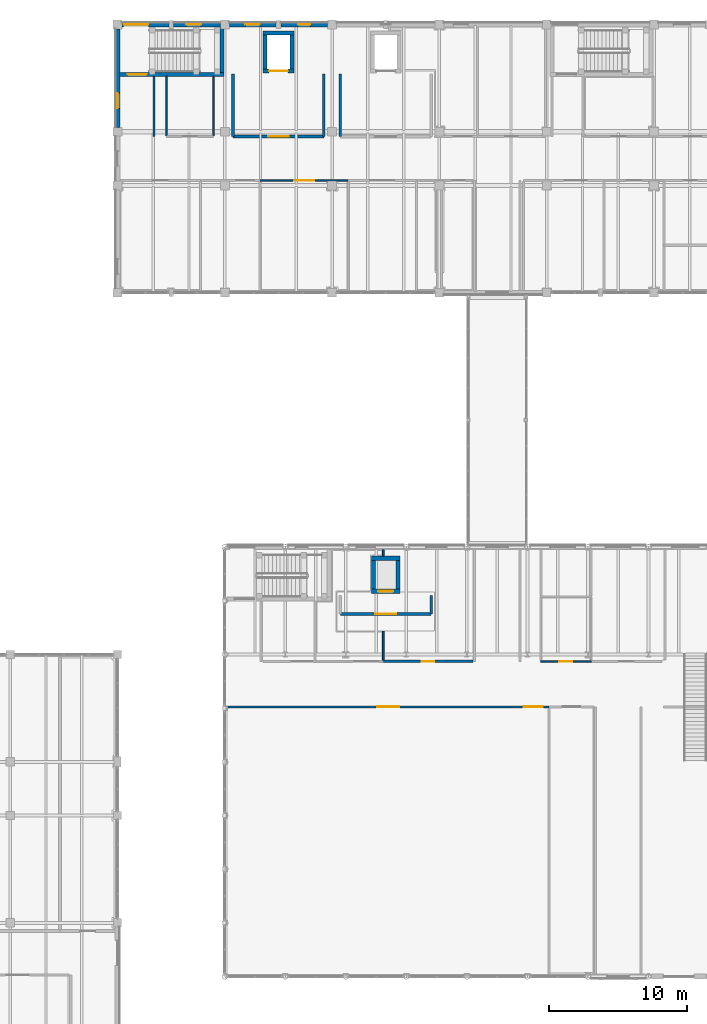
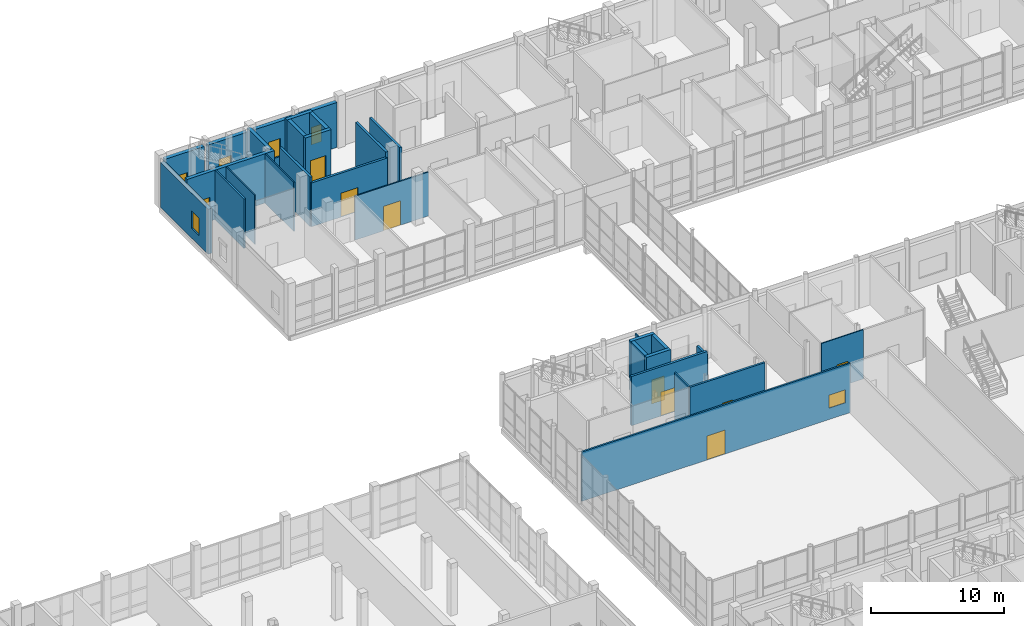
# One storey, part 98 of 131: 30 walls, 10 doors, 5 windows, 15 openings.
"""IFC4 building model written with IfcOpenShell, lengths in metres."""

from ifc_helpers import new_model, si_unit, direction, frame, frame_2d, origin, place, context, subcontext, project, spatial, rectangle, extrude, material, layer, layer_set, type_object, element, fill, save


model = new_model("IFC4")

# Units and contexts
model_context = context("Model", 3, precision=1e-05, world=origin(), true_north=direction((0.0, 1.0)))
body_context = subcontext(model_context, "Body", "Model", "MODEL_VIEW")
ifc_project = project(units=[si_unit("LENGTHUNIT", "METRE"), si_unit("AREAUNIT", "SQUARE_METRE"), si_unit("VOLUMEUNIT", "CUBIC_METRE"), si_unit("PLANEANGLEUNIT", "RADIAN"), si_unit("MASSUNIT", "GRAM", prefix="KILO")], contexts=[model_context])

# Site, building, storey
site_placement = place(None, origin())
site = spatial("IfcSite", under=ifc_project, at=site_placement, CompositionType="ELEMENT")
building_placement = place(site_placement, origin())
building = spatial("IfcBuilding", under=site, at=building_placement, Name="Celorna Specialist Clinic", CompositionType="ELEMENT")
storey_placement = place(building_placement, origin())
storey = spatial("IfcBuildingStorey", under=building, at=storey_placement, Name="L00", CompositionType="ELEMENT", Elevation=0.0)

# Wall, opening, door
ifc_material_1 = material(Name="Pero Pinheiro Lioz limestone insulated masonry", Category="masonry")
ifc_layer_1 = layer(ifc_material_1, 0.340087890625, Name="Pero Pinheiro Lioz limestone insulated masonry")
ifc_layer_set_1 = layer_set([ifc_layer_1], Name="Pero Pinheiro Lioz limestone insulated masonry")
wall_type_1 = type_object("IfcWallType", Name="WT-07", PredefinedType="STANDARD", material=ifc_layer_set_1)
wall_1_placement = place(storey_placement, frame((47.125, 116.0, 0.0), z_axis=(0.0, 0.0, 1.0), x_axis=(1.0, 0.0, 0.0)))
wall_1 = element("IfcWall", 1, at=wall_1_placement, inside=storey, type_object=wall_type_1, Name="External facade wall WT-07 #159", PredefinedType="STANDARD", context=body_context, shape_type="SweptSolid", body=[
    extrude(rectangle(XDim=3.39990234375, YDim=0.340087890625, at=frame_2d((1.699951171875, 0.0))), origin(), (0.0, 0.0, 1.0), 4.139892578125),
])
opening_1_placement = place(wall_1_placement, frame((0.1201171875, 0.0, 0.0)))
opening_1 = element("IfcOpeningElement", 2, at=opening_1_placement, cuts=wall_1, Name="Opening DR-14", PredefinedType="OPENING", context=body_context, shape_type="SweptSolid", body=[
    extrude(rectangle(XDim=1.800048828125, YDim=2.25, at=frame_2d((0.89990234375, 1.125))), frame((0.0, 0.179931640625, 0.0), z_axis=(0.0, -1.0, 0.0), x_axis=(1.0, 0.0, 0.0)), (0.0, 0.0, 1.0), 0.360107421875),
])
ifc_material_2 = material(Name="Glazed aluminium final exit double door", Category="aluminium")
door_type_1 = type_object("IfcDoorType", Name="DR-14", OperationType="DOUBLE_DOOR_SINGLE_SWING", PredefinedType="DOOR", material=ifc_material_2)
door_1_placement = place(opening_1_placement, origin())
door_1 = element("IfcDoor", 3, at=door_1_placement, inside=storey, type_object=door_type_1, Name="Pedestrian final exit E01", OperationType="DOUBLE_DOOR_SINGLE_SWING", OverallHeight=2.25, OverallWidth=1.800048828125, PredefinedType="DOOR", context=body_context, shape_type="SweptSolid", body=[
    extrude(rectangle(XDim=1.800048828125, YDim=2.25, at=frame_2d((0.89990234375, 1.125))), frame((0.0, 0.02490234375, 0.0), z_axis=(0.0, -1.0, 0.0), x_axis=(1.0, 0.0, 0.0)), (0.0, 0.0, 1.0), 0.050048828125),
])
fill(opening_1, door_1)

# Wall, opening, window
wall_2_placement = place(storey_placement, frame((50.875, 116.0, 0.0), z_axis=(0.0, 0.0, 1.0), x_axis=(1.0, 0.0, 0.0)))
wall_2 = element("IfcWall", 4, at=wall_2_placement, inside=storey, type_object=wall_type_1, Name="External facade wall WT-07 #160", PredefinedType="STANDARD", context=body_context, shape_type="SweptSolid", body=[
    extrude(rectangle(XDim=3.39990234375, YDim=0.340087890625, at=frame_2d((1.699951171875, 0.0))), origin(), (0.0, 0.0, 1.0), 4.139892578125),
])
opening_2_placement = place(wall_2_placement, frame((0.907470703125, 0.0, 0.89990234375)))
opening_2 = element("IfcOpeningElement", 5, at=opening_2_placement, cuts=wall_2, Name="Opening WN-03", PredefinedType="OPENING", context=body_context, shape_type="SweptSolid", body=[
    extrude(rectangle(XDim=1.10009765625, YDim=1.60009765625, at=frame_2d((0.550048828125, 0.800048828125))), frame((0.0, 0.179931640625, 0.0), z_axis=(0.0, -1.0, 0.0), x_axis=(1.0, 0.0, 0.0)), (0.0, 0.0, 1.0), 0.360107421875),
])
ifc_material_3 = material(Name="Thermally broken aluminium triple-glazed window", Category="aluminium")
window_type_1 = type_object("IfcWindowType", Name="WN-03", PartitioningType="SINGLE_PANEL", PredefinedType="WINDOW", material=ifc_material_3)
window_1_placement = place(opening_2_placement, origin())
window_1 = element("IfcWindow", 6, at=window_1_placement, inside=storey, type_object=window_type_1, Name="Facade window WN-03 #57", OverallHeight=1.60009765625, OverallWidth=1.10009765625, PartitioningType="SINGLE_PANEL", PredefinedType="WINDOW", context=body_context, shape_type="SweptSolid", body=[
    extrude(rectangle(XDim=1.10009765625, YDim=1.60009765625, at=frame_2d((0.550048828125, 0.800048828125))), frame((0.0, 0.030029296875, 0.0), z_axis=(0.0, -1.0, 0.0), x_axis=(1.0, 0.0, 0.0)), (0.0, 0.0, 1.0), 0.06005859375),
])
fill(opening_2, window_1)

wall_3_placement = place(storey_placement, frame((54.925048828125, 116.0, 0.0), z_axis=(0.0, 0.0, 1.0), x_axis=(1.0, 0.0, 0.0)))
wall_3 = element("IfcWall", 7, at=wall_3_placement, inside=storey, type_object=wall_type_1, Name="External facade wall WT-07 #161", PredefinedType="STANDARD", context=body_context, shape_type="SweptSolid", body=[
    extrude(rectangle(XDim=3.39990234375, YDim=0.340087890625, at=frame_2d((1.699951171875, 0.0))), origin(), (0.0, 0.0, 1.0), 4.139892578125),
])
opening_3_placement = place(wall_3_placement, frame((1.175048828125, 0.0, 0.89990234375)))
opening_3 = element("IfcOpeningElement", 8, at=opening_3_placement, cuts=wall_3, Name="Opening WN-21", PredefinedType="OPENING", context=body_context, shape_type="SweptSolid", body=[
    extrude(rectangle(XDim=1.050048828125, YDim=1.64990234375, at=frame_2d((0.52490234375, 0.824951171875))), frame((0.0, 0.179931640625, 0.0), z_axis=(0.0, -1.0, 0.0), x_axis=(1.0, 0.0, 0.0)), (0.0, 0.0, 1.0), 0.360107421875),
])
window_type_2 = type_object("IfcWindowType", Name="WN-21", PartitioningType="SINGLE_PANEL", PredefinedType="WINDOW", material=ifc_material_3)
window_2_placement = place(opening_3_placement, origin())
window_2 = element("IfcWindow", 9, at=window_2_placement, inside=storey, type_object=window_type_2, Name="Facade window WN-21 #58", OverallHeight=1.64990234375, OverallWidth=1.050048828125, PartitioningType="SINGLE_PANEL", PredefinedType="WINDOW", context=body_context, shape_type="SweptSolid", body=[
    extrude(rectangle(XDim=1.050048828125, YDim=1.64990234375, at=frame_2d((0.52490234375, 0.824951171875))), frame((0.0, 0.030029296875, 0.0), z_axis=(0.0, -1.0, 0.0), x_axis=(1.0, 0.0, 0.0)), (0.0, 0.0, 1.0), 0.06005859375),
])
fill(opening_3, window_2)

wall_4_placement = place(storey_placement, frame((58.675048828125, 116.0, 0.0), z_axis=(0.0, 0.0, 1.0), x_axis=(1.0, 0.0, 0.0)))
wall_4 = element("IfcWall", 10, at=wall_4_placement, inside=storey, type_object=wall_type_1, Name="External facade wall WT-07 #162", PredefinedType="STANDARD", context=body_context, shape_type="SweptSolid", body=[
    extrude(rectangle(XDim=3.39990234375, YDim=0.340087890625, at=frame_2d((1.699951171875, 0.0))), origin(), (0.0, 0.0, 1.0), 4.139892578125),
])
opening_4_placement = place(wall_4_placement, frame((1.25, 0.0, 0.89990234375)))
opening_4 = element("IfcOpeningElement", 11, at=opening_4_placement, cuts=wall_4, Name="Opening WN-01", PredefinedType="OPENING", context=body_context, shape_type="SweptSolid", body=[
    extrude(rectangle(XDim=0.89990234375, YDim=1.60009765625, at=frame_2d((0.449951171875, 0.800048828125))), frame((0.0, 0.179931640625, 0.0), z_axis=(0.0, -1.0, 0.0), x_axis=(1.0, 0.0, 0.0)), (0.0, 0.0, 1.0), 0.360107421875),
])
window_type_3 = type_object("IfcWindowType", Name="WN-01", PartitioningType="SINGLE_PANEL", PredefinedType="WINDOW", material=ifc_material_3)
window_3_placement = place(opening_4_placement, origin())
window_3 = element("IfcWindow", 12, at=window_3_placement, inside=storey, type_object=window_type_3, Name="Facade window WN-01 #59", OverallHeight=1.60009765625, OverallWidth=0.89990234375, PartitioningType="SINGLE_PANEL", PredefinedType="WINDOW", context=body_context, shape_type="SweptSolid", body=[
    extrude(rectangle(XDim=0.89990234375, YDim=1.60009765625, at=frame_2d((0.449951171875, 0.800048828125))), frame((0.0, 0.030029296875, 0.0), z_axis=(0.0, -1.0, 0.0), x_axis=(1.0, 0.0, 0.0)), (0.0, 0.0, 1.0), 0.06005859375),
])
fill(opening_4, window_3)

wall_5_placement = place(storey_placement, frame((46.800048828125, 108.52490234375, 0.0), z_axis=(0.0, 0.0, 1.0), x_axis=(0.0, 1.0, 0.0)))
wall_5 = element("IfcWall", 13, at=wall_5_placement, inside=storey, type_object=wall_type_1, Name="External facade wall WT-07 #183", PredefinedType="STANDARD", context=body_context, shape_type="SweptSolid", body=[
    extrude(rectangle(XDim=7.150146484375, YDim=0.340087890625, at=frame_2d((3.5751953125, 0.0))), origin(), (0.0, 0.0, 1.0), 4.139892578125),
])
opening_5_placement = place(wall_5_placement, frame((1.382568359375, 0.0, 0.89990234375)))
opening_5 = element("IfcOpeningElement", 14, at=opening_5_placement, cuts=wall_5, Name="Opening WN-03", PredefinedType="OPENING", context=body_context, shape_type="SweptSolid", body=[
    extrude(rectangle(XDim=1.10009765625, YDim=1.60009765625, at=frame_2d((0.550048828125, 0.800048828125))), frame((0.0, 0.179931640625, 0.0), z_axis=(0.0, -1.0, 0.0), x_axis=(1.0, 0.0, 0.0)), (0.0, 0.0, 1.0), 0.360107421875),
])
window_4_placement = place(opening_5_placement, origin())
window_4 = element("IfcWindow", 15, at=window_4_placement, inside=storey, type_object=window_type_1, Name="Facade window WN-03 #75", OverallHeight=1.60009765625, OverallWidth=1.10009765625, PartitioningType="SINGLE_PANEL", PredefinedType="WINDOW", context=body_context, shape_type="SweptSolid", body=[
    extrude(rectangle(XDim=1.10009765625, YDim=1.60009765625, at=frame_2d((0.550048828125, 0.800048828125))), frame((0.0, 0.030029296875, 0.0), z_axis=(0.0, -1.0, 0.0), x_axis=(1.0, 0.0, 0.0)), (0.0, 0.0, 1.0), 0.06005859375),
])
fill(opening_5, window_4)

# Wall, opening, door
ifc_material_4 = material(Name="Concrete C35/45", Category="concrete")
ifc_layer_2 = layer(ifc_material_4, 0.300048828125, Name="Concrete C35/45")
ifc_layer_set_2 = layer_set([ifc_layer_2], Name="Concrete C35/45")
wall_type_2 = type_object("IfcWallType", Name="WT-08", PredefinedType="SHEAR", material=ifc_layer_set_2)
wall_6_placement = place(storey_placement, frame((46.949951171875, 112.3701171875, 0.0), z_axis=(0.0, 0.0, 1.0), x_axis=(1.0, 0.0, 0.0)))
wall_6 = element("IfcWall", 16, at=wall_6_placement, inside=storey, type_object=wall_type_2, Name="Stair ST-01 RC core wall L00 south", PredefinedType="SHEAR", context=body_context, shape_type="SweptSolid", body=[
    extrude(rectangle(XDim=7.590087890625, YDim=0.300048828125, at=frame_2d((3.794921875, 0.0))), origin(), (0.0, 0.0, 1.0), 4.5400390625),
])
opening_6_placement = place(wall_6_placement, frame((0.590087890625, 0.0, 0.0)))
opening_6 = element("IfcOpeningElement", 17, at=opening_6_placement, cuts=wall_6, Name="Opening DR-10", PredefinedType="OPENING", context=body_context, shape_type="SweptSolid", body=[
    extrude(rectangle(XDim=1.39990234375, YDim=2.199951171875, at=frame_2d((0.699951171875, 1.10009765625))), frame((0.0, 0.159912109375, 0.0), z_axis=(0.0, -1.0, 0.0), x_axis=(1.0, 0.0, 0.0)), (0.0, 0.0, 1.0), 0.320068359375),
])
ifc_material_5 = material(Name="Protected exit stair fire door")
door_type_2 = type_object("IfcDoorType", Name="DR-10", OperationType="NOTDEFINED", PredefinedType="DOOR", material=ifc_material_5)
door_2_placement = place(opening_6_placement, origin())
door_2 = element("IfcDoor", 18, at=door_2_placement, inside=storey, type_object=door_type_2, Name="Protected exit stair door ST-01 L00", OperationType="SINGLE_SWING_LEFT", OverallHeight=2.199951171875, OverallWidth=1.39990234375, PredefinedType="DOOR", context=body_context, shape_type="SweptSolid", body=[
    extrude(rectangle(XDim=1.39990234375, YDim=2.199951171875, at=frame_2d((0.699951171875, 1.10009765625))), frame((0.0, 0.02490234375, 0.0), z_axis=(0.0, -1.0, 0.0), x_axis=(1.0, 0.0, 0.0)), (0.0, 0.0, 1.0), 0.050048828125),
])
fill(opening_6, door_2)

# Wall
wall_7_placement = place(storey_placement, frame((54.389892578125, 112.52001953125, 0.0), z_axis=(0.0, 0.0, 1.0), x_axis=(0.0, 1.0, 0.0)))
element("IfcWall", 19, at=wall_7_placement, inside=storey, type_object=wall_type_2, Name="Stair ST-01 RC core wall L00 east", PredefinedType="SHEAR", context=body_context, shape_type="SweptSolid", body=[
    extrude(rectangle(XDim=3.330078125, YDim=0.300048828125, at=frame_2d((1.6650390625, 0.0))), origin(), (0.0, 0.0, 1.0), 4.5400390625),
])

# Wall, opening, door
wall_8_placement = place(storey_placement, frame((57.375, 112.625, 0.0), z_axis=(0.0, 0.0, 1.0), x_axis=(1.0, 0.0, 0.0)))
wall_8 = element("IfcWall", 20, at=wall_8_placement, inside=storey, type_object=wall_type_2, Name="Lift LF-01 RC shaft wall L00", PredefinedType="SHEAR", context=body_context, shape_type="SweptSolid", body=[
    extrude(rectangle(XDim=2.25, YDim=0.300048828125, at=frame_2d((1.125, 0.0))), origin(), (0.0, 0.0, 1.0), 4.5400390625),
])
opening_7_placement = place(wall_8_placement, frame((0.449951171875, 0.0, 0.0)))
opening_7 = element("IfcOpeningElement", 21, at=opening_7_placement, cuts=wall_8, Name="Opening LD-02", PredefinedType="OPENING", context=body_context, shape_type="SweptSolid", body=[
    extrude(rectangle(XDim=1.35009765625, YDim=2.300048828125, at=frame_2d((0.675048828125, 1.14990234375))), frame((0.0, 0.159912109375, 0.0), z_axis=(0.0, -1.0, 0.0), x_axis=(1.0, 0.0, 0.0)), (0.0, 0.0, 1.0), 0.320068359375),
])
ifc_material_6 = material(Name="Firefighting stretcher lift landing sliding door")
door_type_3 = type_object("IfcDoorType", Name="LD-02", OperationType="DOUBLE_DOOR_SLIDING", PredefinedType="DOOR", material=ifc_material_6)
door_3_placement = place(opening_7_placement, origin())
door_3 = element("IfcDoor", 22, at=door_3_placement, inside=storey, type_object=door_type_3, Name="Lift LF-01 sliding landing door L00", OperationType="DOUBLE_DOOR_SLIDING", OverallHeight=2.300048828125, OverallWidth=1.35009765625, PredefinedType="DOOR", context=body_context, shape_type="SweptSolid", body=[
    extrude(rectangle(XDim=1.35009765625, YDim=2.300048828125, at=frame_2d((0.675048828125, 1.14990234375))), frame((0.0, 0.02490234375, 0.0), z_axis=(0.0, -1.0, 0.0), x_axis=(1.0, 0.0, 0.0)), (0.0, 0.0, 1.0), 0.050048828125),
])
fill(opening_7, door_3)

# Walls
wall_9_placement = place(storey_placement, frame((59.625, 115.375, 0.0), z_axis=(0.0, 0.0, 1.0), x_axis=(-1.0, 0.0, 0.0)))
element("IfcWall", 23, at=wall_9_placement, inside=storey, type_object=wall_type_2, Name="Lift LF-01 RC shaft wall L00", PredefinedType="SHEAR", context=body_context, shape_type="SweptSolid", body=[
    extrude(rectangle(XDim=2.25, YDim=0.300048828125, at=frame_2d((1.125, 0.0))), origin(), (0.0, 0.0, 1.0), 4.5400390625),
])
for number, where, z_axis, x_axis, name in (
    (24, (57.52490234375, 115.22509765625, 0.0), (0.0, 0.0, 1.0), (0.0, -1.0, 0.0), "Lift LF-01 RC shaft wall L00"),
    (25, (59.47509765625, 112.77490234375, 0.0), (0.0, 0.0, 1.0), (0.0, 1.0, 0.0), "Lift LF-01 RC shaft wall L00"),
):
    element("IfcWall", number, at=place(storey_placement, frame(where, z_axis=z_axis, x_axis=x_axis)), inside=storey, type_object=wall_type_2, Name=name, PredefinedType="SHEAR", context=body_context, shape_type="SweptSolid", body=[
        extrude(rectangle(XDim=2.4501953125, YDim=0.300048828125, at=frame_2d((1.22509765625, 0.0))), origin(), (0.0, 0.0, 1.0), 4.5400390625),
    ])

# Wall, opening, door
wall_10_placement = place(storey_placement, frame((65.25, 74.800048828125, 0.0), z_axis=(0.0, 0.0, 1.0), x_axis=(1.0, 0.0, 0.0)))
wall_10 = element("IfcWall", 26, at=wall_10_placement, inside=storey, type_object=wall_type_2, Name="Lift LF-08 RC shaft wall L00", PredefinedType="SHEAR", context=body_context, shape_type="SweptSolid", body=[
    extrude(rectangle(XDim=2.10009765625, YDim=0.300048828125, at=frame_2d((1.050048828125, 0.0))), origin(), (0.0, 0.0, 1.0), 4.5400390625),
])
opening_8_placement = place(wall_10_placement, frame((0.5, 0.0, 0.0)))
opening_8 = element("IfcOpeningElement", 27, at=opening_8_placement, cuts=wall_10, Name="Opening LD-01", PredefinedType="OPENING", context=body_context, shape_type="SweptSolid", body=[
    extrude(rectangle(XDim=1.10009765625, YDim=2.199951171875, at=frame_2d((0.550048828125, 1.10009765625))), frame((0.0, 0.159912109375, 0.0), z_axis=(0.0, -1.0, 0.0), x_axis=(1.0, 0.0, 0.0)), (0.0, 0.0, 1.0), 0.320068359375),
])
ifc_material_7 = material(Name="Stainless steel lift landing sliding door", Category="steel")
door_type_4 = type_object("IfcDoorType", Name="LD-01", OperationType="DOUBLE_DOOR_SLIDING", PredefinedType="DOOR", material=ifc_material_7)
door_4_placement = place(opening_8_placement, origin())
door_4 = element("IfcDoor", 28, at=door_4_placement, inside=storey, type_object=door_type_4, Name="Lift LF-08 sliding landing door L00", OperationType="DOUBLE_DOOR_SLIDING", OverallHeight=2.199951171875, OverallWidth=1.10009765625, PredefinedType="DOOR", context=body_context, shape_type="SweptSolid", body=[
    extrude(rectangle(XDim=1.10009765625, YDim=2.199951171875, at=frame_2d((0.550048828125, 1.10009765625))), frame((0.0, 0.02490234375, 0.0), z_axis=(0.0, -1.0, 0.0), x_axis=(1.0, 0.0, 0.0)), (0.0, 0.0, 1.0), 0.050048828125),
])
fill(opening_8, door_4)

# Walls
for number, where, z_axis, x_axis, name in (
    (29, (67.35009765625, 77.199951171875, 0.0), (0.0, 0.0, 1.0), (-1.0, 0.0, 0.0), "Lift LF-08 RC shaft wall L00"),
    (30, (65.39990234375, 77.050048828125, 0.0), (0.0, 0.0, 1.0), (0.0, -1.0, 0.0), "Lift LF-08 RC shaft wall L00"),
    (31, (67.199951171875, 74.949951171875, 0.0), (0.0, 0.0, 1.0), (0.0, 1.0, 0.0), "Lift LF-08 RC shaft wall L00"),
):
    element("IfcWall", number, at=place(storey_placement, frame(where, z_axis=z_axis, x_axis=x_axis)), inside=storey, type_object=wall_type_2, Name=name, PredefinedType="SHEAR", context=body_context, shape_type="SweptSolid", body=[
        extrude(rectangle(XDim=2.10009765625, YDim=0.300048828125, at=frame_2d((1.050048828125, 0.0))), origin(), (0.0, 0.0, 1.0), 4.5400390625),
    ])

# Wall, opening, door
ifc_layer_3 = layer(ifc_material_4, 0.199951171875, Name="Concrete C35/45")
ifc_layer_set_3 = layer_set([ifc_layer_3], Name="Concrete C35/45")
wall_type_3 = type_object("IfcWallType", Name="WT-12", PredefinedType="SOLIDWALL", material=ifc_layer_set_3)
wall_11_placement = place(storey_placement, frame((55.199951171875, 107.85009765625, 0.0), z_axis=(0.0, 0.0, 1.0), x_axis=(1.0, 0.0, 0.0)))
wall_11 = element("IfcWall", 32, at=wall_11_placement, inside=storey, type_object=wall_type_3, Name="Firefighting lobby wall LF-01 L00", PredefinedType="SOLIDWALL", context=body_context, shape_type="SweptSolid", body=[
    extrude(rectangle(XDim=6.60009765625, YDim=0.199951171875, at=frame_2d((3.300048828125, 0.0))), origin(), (0.0, 0.0, 1.0), 4.0400390625),
])
opening_9_placement = place(wall_11_placement, frame((2.550048828125, 0.0, 0.0)))
opening_9 = element("IfcOpeningElement", 33, at=opening_9_placement, cuts=wall_11, Name="Opening DR-11", PredefinedType="OPENING", context=body_context, shape_type="SweptSolid", body=[
    extrude(rectangle(XDim=1.5, YDim=2.199951171875, at=frame_2d((0.75, 1.10009765625))), frame((0.0, 0.10986328125, 0.0), z_axis=(0.0, -1.0, 0.0), x_axis=(1.0, 0.0, 0.0)), (0.0, 0.0, 1.0), 0.219970703125),
])
ifc_material_8 = material(Name="Firefighting lobby double fire door")
door_type_5 = type_object("IfcDoorType", Name="DR-11", OperationType="DOUBLE_DOOR_SINGLE_SWING", PredefinedType="DOOR", material=ifc_material_8)
door_5_placement = place(opening_9_placement, origin())
door_5 = element("IfcDoor", 34, at=door_5_placement, inside=storey, type_object=door_type_5, Name="Firefighting lobby fire door LF-01 L00", OperationType="DOUBLE_DOOR_SINGLE_SWING", OverallHeight=2.199951171875, OverallWidth=1.5, PredefinedType="DOOR", context=body_context, shape_type="SweptSolid", body=[
    extrude(rectangle(XDim=1.5, YDim=2.199951171875, at=frame_2d((0.75, 1.10009765625))), frame((0.0, 0.02490234375, 0.0), z_axis=(0.0, -1.0, 0.0), x_axis=(1.0, 0.0, 0.0)), (0.0, 0.0, 1.0), 0.050048828125),
])
fill(opening_9, door_5)

# Walls
for number, where, z_axis, x_axis, name in (
    (35, (55.199951171875, 112.39990234375, 0.0), (0.0, 0.0, 1.0), (0.0, -1.0, 0.0), "Firefighting lobby wall LF-01 L00"),
    (36, (61.800048828125, 107.85009765625, 0.0), (0.0, 0.0, 1.0), (0.0, 1.0, 0.0), "Firefighting lobby wall LF-01 L00"),
    (37, (63.0, 112.39990234375, 0.0), (0.0, 0.0, 1.0), (0.0, -1.0, 0.0), "Firefighting lobby wall LF-02 L00"),
):
    element("IfcWall", number, at=place(storey_placement, frame(where, z_axis=z_axis, x_axis=x_axis)), inside=storey, type_object=wall_type_3, Name=name, PredefinedType="SOLIDWALL", context=body_context, shape_type="SweptSolid", body=[
        extrude(rectangle(XDim=4.5498046875, YDim=0.199951171875, at=frame_2d((2.27490234375, 0.0))), origin(), (0.0, 0.0, 1.0), 4.5400390625),
    ])

# Wall, opening, door
wall_12_placement = place(storey_placement, frame((63.0, 73.14990234375, 0.0), z_axis=(0.0, 0.0, 1.0), x_axis=(1.0, 0.0, 0.0)))
wall_12 = element("IfcWall", 38, at=wall_12_placement, inside=storey, type_object=wall_type_3, Name="Lift lobby wall LF-08 L00", PredefinedType="SOLIDWALL", context=body_context, shape_type="SweptSolid", body=[
    extrude(rectangle(XDim=6.60009765625, YDim=0.199951171875, at=frame_2d((3.300048828125, 0.0))), origin(), (0.0, 0.0, 1.0), 4.5400390625),
])
opening_10_placement = place(wall_12_placement, frame((2.550048828125, 0.0, 0.0)))
opening_10 = element("IfcOpeningElement", 39, at=opening_10_placement, cuts=wall_12, Name="Opening DR-11", PredefinedType="OPENING", context=body_context, shape_type="SweptSolid", body=[
    extrude(rectangle(XDim=1.5, YDim=2.199951171875, at=frame_2d((0.75, 1.10009765625))), frame((0.0, 0.10986328125, 0.0), z_axis=(0.0, -1.0, 0.0), x_axis=(1.0, 0.0, 0.0)), (0.0, 0.0, 1.0), 0.219970703125),
])
door_6_placement = place(opening_10_placement, origin())
door_6 = element("IfcDoor", 40, at=door_6_placement, inside=storey, type_object=door_type_5, Name="Lift lobby fire door LF-08 L00", OperationType="DOUBLE_DOOR_SINGLE_SWING", OverallHeight=2.199951171875, OverallWidth=1.5, PredefinedType="DOOR", context=body_context, shape_type="SweptSolid", body=[
    extrude(rectangle(XDim=1.5, YDim=2.199951171875, at=frame_2d((0.75, 1.10009765625))), frame((0.0, 0.02490234375, 0.0), z_axis=(0.0, -1.0, 0.0), x_axis=(1.0, 0.0, 0.0)), (0.0, 0.0, 1.0), 0.050048828125),
])
fill(opening_10, door_6)

# Wall
wall_13_placement = place(storey_placement, frame((69.60009765625, 73.14990234375, 0.0), z_axis=(0.0, 0.0, 1.0), x_axis=(0.0, 1.0, 0.0)))
element("IfcWall", 41, at=wall_13_placement, inside=storey, type_object=wall_type_3, Name="Lift lobby wall LF-08 L00", PredefinedType="SOLIDWALL", context=body_context, shape_type="SweptSolid", body=[
    extrude(rectangle(XDim=1.35009765625, YDim=0.199951171875, at=frame_2d((0.675048828125, 0.0))), origin(), (0.0, 0.0, 1.0), 4.2099609375),
])

# Wall, opening, door
ifc_material_9 = material(Name="Acoustic masonry clinical partition", Category="masonry")
ifc_layer_4 = layer(ifc_material_9, 0.179931640625, Name="Acoustic masonry clinical partition")
ifc_layer_set_4 = layer_set([ifc_layer_4], Name="Acoustic masonry clinical partition")
wall_type_4 = type_object("IfcWallType", Name="WT-13", PredefinedType="PARTITIONING", material=ifc_layer_set_4)
wall_14_placement = place(storey_placement, frame((66.1201171875, 69.699951171875, 0.0), z_axis=(0.0, 0.0, 1.0), x_axis=(1.0, 0.0, 0.0)))
wall_14 = element("IfcWall", 42, at=wall_14_placement, inside=storey, type_object=wall_type_4, Name="Interior partition WT-13 L00-021", PredefinedType="PARTITIONING", context=body_context, shape_type="SweptSolid", body=[
    extrude(rectangle(XDim=6.509765625, YDim=0.179931640625, at=frame_2d((3.2548828125, 0.0))), origin(), (0.0, 0.0, 1.0), 4.5400390625),
])
opening_11_placement = place(wall_14_placement, frame((2.804931640625, 0.0, 0.0)))
opening_11 = element("IfcOpeningElement", 43, at=opening_11_placement, cuts=wall_14, Name="Opening DR-02", PredefinedType="OPENING", context=body_context, shape_type="SweptSolid", body=[
    extrude(rectangle(XDim=0.89990234375, YDim=2.10009765625, at=frame_2d((0.449951171875, 1.050048828125))), frame((0.0, 0.099853515625, 0.0), z_axis=(0.0, -1.0, 0.0), x_axis=(1.0, 0.0, 0.0)), (0.0, 0.0, 1.0), 0.199951171875),
])
ifc_material_10 = material(Name="Timber acoustic clinical door", Category="wood")
door_type_6 = type_object("IfcDoorType", Name="DR-02", OperationType="NOTDEFINED", PredefinedType="DOOR", material=ifc_material_10)
door_7_placement = place(opening_11_placement, origin())
door_7 = element("IfcDoor", 44, at=door_7_placement, inside=storey, type_object=door_type_6, Name="Aseptic Chairside Preparation Room door L00-021", OperationType="SINGLE_SWING_RIGHT", OverallHeight=2.10009765625, OverallWidth=0.89990234375, PredefinedType="DOOR", context=body_context, shape_type="SweptSolid", body=[
    extrude(rectangle(XDim=0.89990234375, YDim=2.10009765625, at=frame_2d((0.449951171875, 1.050048828125))), frame((0.0, 0.02490234375, 0.0), z_axis=(0.0, -1.0, 0.0), x_axis=(1.0, 0.0, 0.0)), (0.0, 0.0, 1.0), 0.050048828125),
])
fill(opening_11, door_7)

# Wall
ifc_material_11 = material(Name="Fire-rated gypsum board partition")
ifc_layer_5 = layer(ifc_material_11, 0.14990234375, Name="Fire-rated gypsum board partition")
ifc_layer_set_5 = layer_set([ifc_layer_5], Name="Fire-rated gypsum board partition")
wall_type_5 = type_object("IfcWallType", Name="WT-14", PredefinedType="PARTITIONING", material=ifc_layer_set_5)
wall_15_placement = place(storey_placement, frame((49.43994140625, 107.85009765625, 0.0), z_axis=(0.0, 0.0, 1.0), x_axis=(0.0, 1.0, 0.0)))
element("IfcWall", 45, at=wall_15_placement, inside=storey, type_object=wall_type_5, Name="Corridor spur partition WT-14", PredefinedType="PARTITIONING", context=body_context, shape_type="SweptSolid", body=[
    extrude(rectangle(XDim=4.369873046875, YDim=0.14990234375, at=frame_2d((2.18505859375, 0.0))), origin(), (0.0, 0.0, 1.0), 4.5400390625),
])

# Wall, openings, door, window
wall_16_placement = place(storey_placement, frame((78.169921875, 66.39990234375, 0.0), z_axis=(0.0, 0.0, 1.0), x_axis=(-1.0, 0.0, 0.0)))
wall_16 = element("IfcWall", 46, at=wall_16_placement, inside=storey, type_object=wall_type_5, Name="Interior partition WT-14 L00-017", PredefinedType="PARTITIONING", context=body_context, shape_type="SweptSolid", body=[
    extrude(rectangle(XDim=23.36669921875, YDim=0.14990234375, at=frame_2d((11.683349609375, 0.0))), origin(), (0.0, 0.0, 1.0), 4.5400390625),
])
opening_12_placement = place(wall_16_placement, frame((10.89990234375, 0.0, 0.0)))
opening_12 = element("IfcOpeningElement", 47, at=opening_12_placement, cuts=wall_16, Name="Opening DR-12", PredefinedType="OPENING", context=body_context, shape_type="SweptSolid", body=[
    extrude(rectangle(XDim=1.60009765625, YDim=2.199951171875, at=frame_2d((0.800048828125, 1.10009765625))), frame((0.0, 0.0849609375, 0.0), z_axis=(0.0, -1.0, 0.0), x_axis=(1.0, 0.0, 0.0)), (0.0, 0.0, 1.0), 0.169921875),
])
opening_13_placement = place(wall_16_placement, frame((0.449951171875, 0.0, 1.050048828125)))
opening_13 = element("IfcOpeningElement", 48, at=opening_13_placement, cuts=wall_16, Name="Opening WN-20", PredefinedType="OPENING", context=body_context, shape_type="SweptSolid", body=[
    extrude(rectangle(XDim=1.39990234375, YDim=1.199951171875, at=frame_2d((0.699951171875, 0.60009765625))), frame((0.0, 0.0849609375, 0.0), z_axis=(0.0, -1.0, 0.0), x_axis=(1.0, 0.0, 0.0)), (0.0, 0.0, 1.0), 0.169921875),
])
ifc_material_12 = material(Name="Corridor cross-compartment pair door")
door_type_7 = type_object("IfcDoorType", Name="DR-12", OperationType="DOUBLE_DOOR_SINGLE_SWING", PredefinedType="DOOR", material=ifc_material_12)
door_8_placement = place(opening_12_placement, origin())
door_8 = element("IfcDoor", 49, at=door_8_placement, inside=storey, type_object=door_type_7, Name="Oncology Infusion Treatment Hall door L00-017", OperationType="DOUBLE_DOOR_SINGLE_SWING", OverallHeight=2.199951171875, OverallWidth=1.60009765625, PredefinedType="DOOR", context=body_context, shape_type="SweptSolid", body=[
    extrude(rectangle(XDim=1.60009765625, YDim=2.199951171875, at=frame_2d((0.800048828125, 1.10009765625))), frame((0.0, 0.02490234375, 0.0), z_axis=(0.0, -1.0, 0.0), x_axis=(1.0, 0.0, 0.0)), (0.0, 0.0, 1.0), 0.050048828125),
])
fill(opening_12, door_8)
ifc_material_13 = material(Name="Lead-glass clinical observation window", Category="glass")
window_type_4 = type_object("IfcWindowType", Name="WN-20", PartitioningType="SINGLE_PANEL", PredefinedType="WINDOW", material=ifc_material_13)
window_5_placement = place(opening_13_placement, origin())
window_5 = element("IfcWindow", 50, at=window_5_placement, inside=storey, type_object=window_type_4, Name="Clinical observation window L00-017", OverallHeight=1.199951171875, OverallWidth=1.39990234375, PartitioningType="SINGLE_PANEL", PredefinedType="WINDOW", context=body_context, shape_type="SweptSolid", body=[
    extrude(rectangle(XDim=1.39990234375, YDim=1.199951171875, at=frame_2d((0.699951171875, 0.60009765625))), frame((0.0, 0.030029296875, 0.0), z_axis=(0.0, -1.0, 0.0), x_axis=(1.0, 0.0, 0.0)), (0.0, 0.0, 1.0), 0.06005859375),
])
fill(opening_13, window_5)

# Wall, opening, door
ifc_material_14 = material(Name="Acoustic gypsum board partition")
ifc_layer_6 = layer(ifc_material_14, 0.1201171875, Name="Acoustic gypsum board partition")
ifc_layer_set_6 = layer_set([ifc_layer_6], Name="Acoustic gypsum board partition")
wall_type_6 = type_object("IfcWallType", Name="WT-15", PredefinedType="PARTITIONING", material=ifc_layer_set_6)
wall_17_placement = place(storey_placement, frame((63.570068359375, 104.64990234375, 0.0), z_axis=(0.0, 0.0, 1.0), x_axis=(-1.0, 0.0, 0.0)))
wall_17 = element("IfcWall", 51, at=wall_17_placement, inside=storey, type_object=wall_type_6, Name="Interior partition WT-15 L00-052", PredefinedType="PARTITIONING", context=body_context, shape_type="SweptSolid", body=[
    extrude(rectangle(XDim=6.400146484375, YDim=0.1201171875, at=frame_2d((3.2001953125, 0.0))), origin(), (0.0, 0.0, 1.0), 4.0400390625),
])
opening_14_placement = place(wall_17_placement, frame((2.4599609375, 0.0, 0.0)))
opening_14 = element("IfcOpeningElement", 52, at=opening_14_placement, cuts=wall_17, Name="Opening DR-23", PredefinedType="OPENING", context=body_context, shape_type="SweptSolid", body=[
    extrude(rectangle(XDim=1.47998046875, YDim=2.25, at=frame_2d((0.739990234375, 1.125))), frame((0.0, 0.070068359375, 0.0), z_axis=(0.0, -1.0, 0.0), x_axis=(1.0, 0.0, 0.0)), (0.0, 0.0, 1.0), 0.14013671875),
])
ifc_material_15 = material(Name="Double leaf treatment room door")
door_type_8 = type_object("IfcDoorType", Name="DR-23", OperationType="DOUBLE_DOOR_SINGLE_SWING", PredefinedType="DOOR", material=ifc_material_15)
door_9_placement = place(opening_14_placement, origin())
door_9 = element("IfcDoor", 53, at=door_9_placement, inside=storey, type_object=door_type_8, Name="Specialist Examination Room door L00-052", OperationType="DOUBLE_DOOR_SINGLE_SWING", OverallHeight=2.25, OverallWidth=1.47998046875, PredefinedType="DOOR", context=body_context, shape_type="SweptSolid", body=[
    extrude(rectangle(XDim=1.47998046875, YDim=2.25, at=frame_2d((0.739990234375, 1.125))), frame((0.0, 0.02490234375, 0.0), z_axis=(0.0, -1.0, 0.0), x_axis=(1.0, 0.0, 0.0)), (0.0, 0.0, 1.0), 0.050048828125),
])
fill(opening_14, door_9)

# Walls
wall_18_placement = place(storey_placement, frame((66.1201171875, 69.7900390625, 0.0), z_axis=(0.0, 0.0, 1.0), x_axis=(0.0, 1.0, 0.0)))
element("IfcWall", 54, at=wall_18_placement, inside=storey, type_object=wall_type_6, Name="Room dividing partition WT-15 L00-020", PredefinedType="PARTITIONING", context=body_context, shape_type="SweptSolid", body=[
    extrude(rectangle(XDim=2.10986328125, YDim=0.1201171875, at=frame_2d((1.054931640625, 0.0))), origin(), (0.0, 0.0, 1.0), 4.5400390625),
])
wall_19_placement = place(storey_placement, frame((66.1201171875, 77.35009765625, 0.0), z_axis=(0.0, 0.0, 1.0), x_axis=(0.0, 1.0, 0.0)))
element("IfcWall", 55, at=wall_19_placement, inside=storey, type_object=wall_type_6, Name="Room dividing partition WT-15 L00-020", PredefinedType="PARTITIONING", context=body_context, shape_type="SweptSolid", body=[
    extrude(rectangle(XDim=0.47998046875, YDim=0.1201171875, at=frame_2d((0.239990234375, 0.0))), origin(), (0.0, 0.0, 1.0), 4.5400390625),
])

# Wall, opening, door
ifc_material_16 = material(Name="Moisture-resistant gypsum partition")
ifc_layer_7 = layer(ifc_material_16, 0.10009765625, Name="Moisture-resistant gypsum partition")
ifc_layer_set_7 = layer_set([ifc_layer_7], Name="Moisture-resistant gypsum partition")
wall_type_7 = type_object("IfcWallType", Name="WT-16", PredefinedType="PARTITIONING", material=ifc_layer_set_7)
wall_20_placement = place(storey_placement, frame((77.570068359375, 69.699951171875, 0.0), z_axis=(0.0, 0.0, 1.0), x_axis=(1.0, 0.0, 0.0)))
wall_20 = element("IfcWall", 56, at=wall_20_placement, inside=storey, type_object=wall_type_7, Name="Interior partition WT-16 L00-022", PredefinedType="PARTITIONING", context=body_context, shape_type="SweptSolid", body=[
    extrude(rectangle(XDim=3.64990234375, YDim=0.10009765625, at=frame_2d((1.824951171875, 0.0))), origin(), (0.0, 0.0, 1.0), 4.5400390625),
])
opening_15_placement = place(wall_20_placement, frame((1.35009765625, 0.0, 0.0)))
opening_15 = element("IfcOpeningElement", 57, at=opening_15_placement, cuts=wall_20, Name="Opening DR-03", PredefinedType="OPENING", context=body_context, shape_type="SweptSolid", body=[
    extrude(rectangle(XDim=0.949951171875, YDim=2.10009765625, at=frame_2d((0.47509765625, 1.050048828125))), frame((0.0, 0.06005859375, 0.0), z_axis=(0.0, -1.0, 0.0), x_axis=(1.0, 0.0, 0.0)), (0.0, 0.0, 1.0), 0.1201171875),
])
ifc_material_17 = material(Name="Moisture-resistant accessible WC door")
door_type_9 = type_object("IfcDoorType", Name="DR-03", OperationType="NOTDEFINED", PredefinedType="DOOR", material=ifc_material_17)
door_10_placement = place(opening_15_placement, origin())
door_10 = element("IfcDoor", 58, at=door_10_placement, inside=storey, type_object=door_type_9, Name="Patient En-Suite WC door L00-022", OperationType="SINGLE_SWING_LEFT", OverallHeight=2.10009765625, OverallWidth=0.949951171875, PredefinedType="DOOR", context=body_context, shape_type="SweptSolid", body=[
    extrude(rectangle(XDim=0.949951171875, YDim=2.10009765625, at=frame_2d((0.47509765625, 1.050048828125))), frame((0.0, 0.02490234375, 0.0), z_axis=(0.0, -1.0, 0.0), x_axis=(1.0, 0.0, 0.0)), (0.0, 0.0, 1.0), 0.050048828125),
])
fill(opening_15, door_10)

# Walls
for number, where, z_axis, x_axis, name in (
    (59, (50.3701171875, 107.89990234375, 0.0), (0.0, 0.0, 1.0), (0.0, 1.0, 0.0), "Room dividing partition WT-16 L00-071"),
    (60, (53.77001953125, 107.89990234375, 0.0), (0.0, 0.0, 1.0), (0.0, 1.0, 0.0), "Room dividing partition WT-16 L00-071"),
):
    element("IfcWall", number, at=place(storey_placement, frame(where, z_axis=z_axis, x_axis=x_axis)), inside=storey, type_object=wall_type_7, Name=name, PredefinedType="PARTITIONING", context=body_context, shape_type="SweptSolid", body=[
        extrude(rectangle(XDim=4.320068359375, YDim=0.10009765625, at=frame_2d((2.16015625, 0.0))), origin(), (0.0, 0.0, 1.0), 4.5400390625),
    ])

save(model, "model.ifc")
